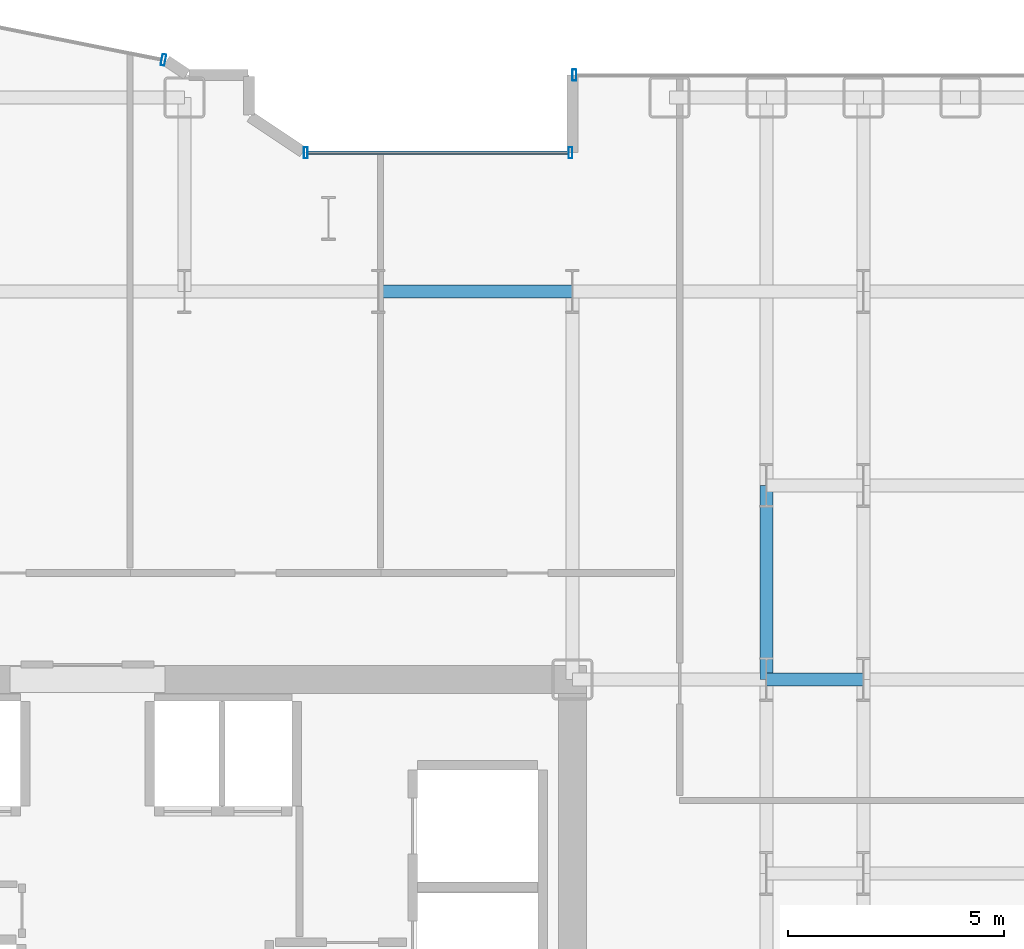
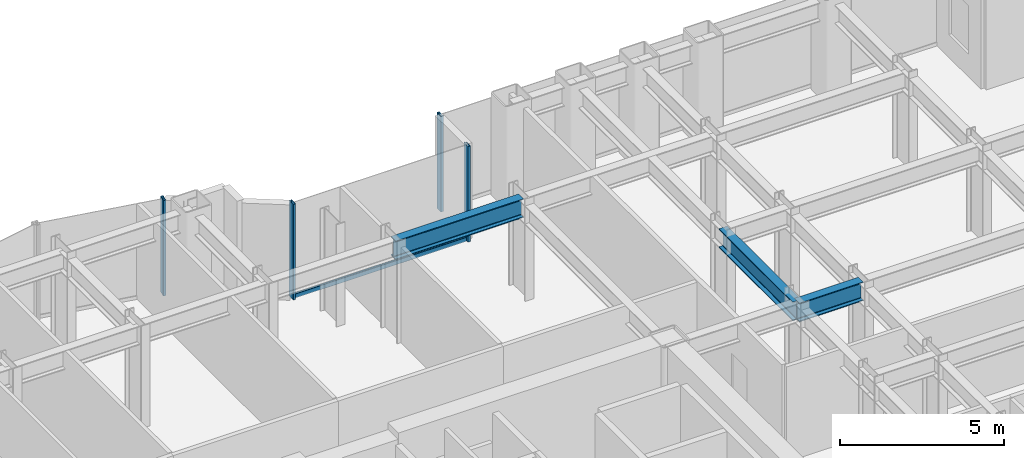
# One storey, part 12 of 27: 5 members, 3 beams, 3 elements without a shape of their own.
"""IFC4 building model written with IfcOpenShell, lengths in metres."""

from ifc_helpers import new_model, si_unit, direction, frame, origin, origin_2d, place, context, subcontext, project, spatial, hollow_rectangle, i_section, extrude, source, transform, mapped, material, layer, layer_set, material_profile, profile_set, type_object, element, aggregate, save


model = new_model("IFC4")

# Units and contexts
model_context = context("Model", 3, precision=1e-05, world=origin(), true_north=direction((0.0, 1.0)))
body_context = subcontext(model_context, "Body", "Model", "MODEL_VIEW")
ifc_project = project(units=[si_unit("LENGTHUNIT", "METRE"), si_unit("AREAUNIT", "SQUARE_METRE"), si_unit("VOLUMEUNIT", "CUBIC_METRE"), si_unit("PLANEANGLEUNIT", "RADIAN"), si_unit("MASSUNIT", "GRAM", prefix="KILO")], contexts=[model_context])

# Site, building, storey
site_placement = place(None, origin())
site = spatial("IfcSite", under=ifc_project, at=site_placement, CompositionType="ELEMENT")
building_placement = place(site_placement, origin())
building = spatial("IfcBuilding", under=site, at=building_placement, Name="Nefas-Gora Pilgrimage Tower", CompositionType="ELEMENT")
storey_placement = place(building_placement, frame((0.0, 0.0, 48.199951171875)))
storey = spatial("IfcBuildingStorey", under=building, at=storey_placement, Name="L10", CompositionType="ELEMENT", Elevation=48.199951171875)

# Beams
ifc_material_1 = material(Name="Steel S355", Category="steel")
ifc_material_profile_1 = material_profile(ifc_material_1, i_section(OverallWidth=0.300048828125, OverallDepth=0.699951171875, WebThickness=0.01708984375, FlangeThickness=0.031982421875, FilletRadius=0.027099609375, at=origin_2d()), Name="HEB 700")
ifc_profile_set_1 = profile_set([ifc_material_profile_1], Name="Steel S355")
beam_type = type_object("IfcBeamType", Name="BM-GIR-HEB700", PredefinedType="BEAM", material=ifc_profile_set_1)
shared_shape_1 = source(origin(), body_context, "Body", "SweptSolid", [
    extrude(i_section(OverallWidth=0.300048828125, OverallDepth=0.699951171875, WebThickness=0.01708984375, FlangeThickness=0.031982421875, FilletRadius=0.027099609375, at=origin_2d()), origin(), (0.0, 0.0, 1.0), 4.5),
])
for number, where, z_axis, x_axis, name in (
    (1, (6.75, 18.0, 3.199951171875), (1.0, 0.0, 0.0), (0.0, 1.0, 0.0), "L10 G-02 beam"),
    (2, (15.75, 9.0, 3.199951171875), (0.0, 1.0, 0.0), (-1.0, 0.0, 0.0), "L10 G-02 beam"),
):
    element("IfcBeam", number, at=place(storey_placement, frame(where, z_axis=z_axis, x_axis=x_axis)), inside=storey, type_object=beam_type, Name=name, PredefinedType="BEAM", context=body_context, shape_type="MappedRepresentation", body=[
        mapped(shared_shape_1, transform((0.0, 0.0, 0.0), x_axis=(1.0, 0.0, 0.0), y_axis=(0.0, 1.0, 0.0), z_axis=(0.0, 0.0, 1.0), scale=1.0)),
    ])
shared_shape_2 = source(origin(), body_context, "Body", "SweptSolid", [
    extrude(i_section(OverallWidth=0.300048828125, OverallDepth=0.699951171875, WebThickness=0.01708984375, FlangeThickness=0.031982421875, FilletRadius=0.027099609375, at=origin_2d()), origin(), (0.0, 0.0, 1.0), 2.25),
])
beam_placement = place(storey_placement, frame((15.75, 9.0, 3.199951171875), z_axis=(1.0, 0.0, 0.0), x_axis=(0.0, 1.0, 0.0)))
element("IfcBeam", 3, at=beam_placement, inside=storey, type_object=beam_type, Name="L10 G-02 beam", PredefinedType="BEAM", context=body_context, shape_type="MappedRepresentation", body=[
    mapped(shared_shape_2, transform((0.0, 0.0, 0.0), x_axis=(1.0, 0.0, 0.0), y_axis=(0.0, 1.0, 0.0), z_axis=(0.0, 0.0, 1.0), scale=1.0)),
])

# Curtain wall, members
ifc_material_2 = material(Name="Dark ceramic-fritted solar-control aluminium-glass curtain wall", Category="aluminium")
ifc_layer_1 = layer(ifc_material_2, 0.219970703125)
ifc_layer_set_1 = layer_set([ifc_layer_1], Name="Dark ceramic-fritted solar-control aluminium-glass curtain wall")
curtain_wall_type_1 = type_object("IfcCurtainWallType", Name="CW-SYS-5", PredefinedType="NOTDEFINED", material=ifc_layer_set_1)
curtain_wall_1_placement = place(storey_placement, origin())
curtain_wall_1 = element("IfcCurtainWall", 4, at=curtain_wall_1_placement, inside=storey, type_object=curtain_wall_type_1, Name="L10 Unitised Curtain Wall CW5", PredefinedType="NOTDEFINED")
ifc_material_3 = material(Name="Anodised architectural aluminium", Category="aluminium")
ifc_material_profile_2 = material_profile(ifc_material_3, hollow_rectangle(XDim=0.090087890625, YDim=0.260009765625, WallThickness=0.006103515625, InnerFilletRadius=0.006103515625, OuterFilletRadius=0.011962890625, at=origin_2d()), Name="ALU MULLION 90x260")
ifc_profile_set_2 = profile_set([ifc_material_profile_2], Name="Anodised architectural aluminium")
member_type_1 = type_object("IfcMemberType", Name="CWM-MUL-5", PredefinedType="MULLION", material=ifc_profile_set_2)
shared_shape_3 = source(origin(), body_context, "Body", "SweptSolid", [
    extrude(hollow_rectangle(XDim=0.090087890625, YDim=0.260009765625, WallThickness=0.006103515625, InnerFilletRadius=0.006103515625, OuterFilletRadius=0.011962890625, at=origin_2d()), origin(), (0.0, 0.0, 1.0), 3.550048828125),
])
member_1_placement = place(storey_placement, frame((11.205078125, 21.219970703125, 0.0), z_axis=(0.0, 0.0, 1.0), x_axis=(-1.0, 0.0, 0.0)))
member_1 = element("IfcMember", 5, at=member_1_placement, type_object=member_type_1, Name="CW5 Mullion 1", PredefinedType="MULLION", context=body_context, shape_type="MappedRepresentation", body=[
    mapped(shared_shape_3, transform((0.0, 0.0, 0.0), x_axis=(1.0, 0.0, 0.0), y_axis=(0.0, 1.0, 0.0), z_axis=(0.0, 0.0, 1.0), scale=1.0)),
])
member_2_placement = place(storey_placement, frame((5.06298828125, 21.219970703125, 0.0), z_axis=(0.0, 0.0, 1.0), x_axis=(-1.0, 0.0, 0.0)))
member_2 = element("IfcMember", 6, at=member_2_placement, type_object=member_type_1, Name="CW5 Mullion 2", PredefinedType="MULLION", context=body_context, shape_type="MappedRepresentation", body=[
    mapped(shared_shape_3, transform((0.0, 0.0, 0.0), x_axis=(1.0, 0.0, 0.0), y_axis=(0.0, 1.0, 0.0), z_axis=(0.0, 0.0, 1.0), scale=1.0)),
])

# Curtain wall, member
curtain_wall_2_placement = place(storey_placement, origin())
curtain_wall_2 = element("IfcCurtainWall", 7, at=curtain_wall_2_placement, inside=storey, type_object=curtain_wall_type_1, Name="L10 Unitised Curtain Wall CW5", PredefinedType="NOTDEFINED")
member_3_placement = place(storey_placement, frame((1.76318359375, 23.3740234375, 0.0), z_axis=(0.0, 0.0, 1.0), x_axis=(-0.980782896852, 0.195102304554, 0.0)))
member_3 = element("IfcMember", 8, at=member_3_placement, type_object=member_type_1, Name="CW5 Mullion 1", PredefinedType="MULLION", context=body_context, shape_type="MappedRepresentation", body=[
    mapped(shared_shape_3, transform((0.0, 0.0, 0.0), x_axis=(1.0, 0.0, 0.0), y_axis=(0.0, 1.0, 0.0), z_axis=(0.0, 0.0, 1.0), scale=1.0)),
])
aggregate(curtain_wall_2, [member_3])

# Member
ifc_material_profile_3 = material_profile(ifc_material_3, hollow_rectangle(XDim=0.080078125, YDim=0.159912109375, WallThickness=0.00439453125, InnerFilletRadius=0.00439453125, OuterFilletRadius=0.009033203125, at=origin_2d()), Name="ALU TRANSOM 80x160")
ifc_profile_set_3 = profile_set([ifc_material_profile_3], Name="Anodised architectural aluminium")
member_type_2 = type_object("IfcMemberType", Name="CWM-TRN-5", PredefinedType="USERDEFINED", material=ifc_profile_set_3)
shared_shape_4 = source(origin(), body_context, "Body", "SweptSolid", [
    extrude(hollow_rectangle(XDim=0.080078125, YDim=0.159912109375, WallThickness=0.00439453125, InnerFilletRadius=0.00439453125, OuterFilletRadius=0.009033203125, at=origin_2d()), origin(), (0.0, 0.0, 1.0), 6.052001953125),
])
member_4_placement = place(storey_placement, frame((11.159912109375, 21.219970703125, 0.050048828125), z_axis=(-1.0, 0.0, 0.0), x_axis=(0.0, -1.0, 0.0)))
member_4 = element("IfcMember", 9, at=member_4_placement, type_object=member_type_2, Name="CW5 Spandrel Transom", ObjectType="TRANSOM", PredefinedType="USERDEFINED", context=body_context, shape_type="MappedRepresentation", body=[
    mapped(shared_shape_4, transform((0.0, 0.0, 0.0), x_axis=(1.0, 0.0, 0.0), y_axis=(0.0, 1.0, 0.0), z_axis=(0.0, 0.0, 1.0), scale=1.0)),
])

aggregate(curtain_wall_1, [member_1, member_2, member_4])

# Curtain wall, member
ifc_layer_2 = layer(ifc_material_2, 0.219970703125)
ifc_layer_set_2 = layer_set([ifc_layer_2], Name="Dark ceramic-fritted solar-control aluminium-glass curtain wall")
curtain_wall_type_2 = type_object("IfcCurtainWallType", Name="CW-SYS-2", PredefinedType="NOTDEFINED", material=ifc_layer_set_2)
curtain_wall_3_placement = place(storey_placement, origin())
curtain_wall_3 = element("IfcCurtainWall", 10, at=curtain_wall_3_placement, inside=storey, type_object=curtain_wall_type_2, Name="L10 Unitised Curtain Wall CW2", PredefinedType="NOTDEFINED")
ifc_material_profile_4 = material_profile(ifc_material_3, hollow_rectangle(XDim=0.090087890625, YDim=0.260009765625, WallThickness=0.006103515625, InnerFilletRadius=0.006103515625, OuterFilletRadius=0.011962890625, at=origin_2d()), Name="ALU MULLION 90x260")
ifc_profile_set_4 = profile_set([ifc_material_profile_4], Name="Anodised architectural aluminium")
member_type_3 = type_object("IfcMemberType", Name="CWM-MUL-2", PredefinedType="MULLION", material=ifc_profile_set_4)
shared_shape_5 = source(origin(), body_context, "Body", "SweptSolid", [
    extrude(hollow_rectangle(XDim=0.090087890625, YDim=0.260009765625, WallThickness=0.006103515625, InnerFilletRadius=0.006103515625, OuterFilletRadius=0.011962890625, at=origin_2d()), origin(), (0.0, 0.0, 1.0), 3.550048828125),
])
member_5_placement = place(storey_placement, frame((11.294921875, 23.02001953125, 0.0), z_axis=(0.0, 0.0, 1.0), x_axis=(-1.0, 0.0, 0.0)))
member_5 = element("IfcMember", 11, at=member_5_placement, type_object=member_type_3, Name="CW2 Mullion 2", PredefinedType="MULLION", context=body_context, shape_type="MappedRepresentation", body=[
    mapped(shared_shape_5, transform((0.0, 0.0, 0.0), x_axis=(1.0, 0.0, 0.0), y_axis=(0.0, 1.0, 0.0), z_axis=(0.0, 0.0, 1.0), scale=1.0)),
])
aggregate(curtain_wall_3, [member_5])

save(model, "model.ifc")
